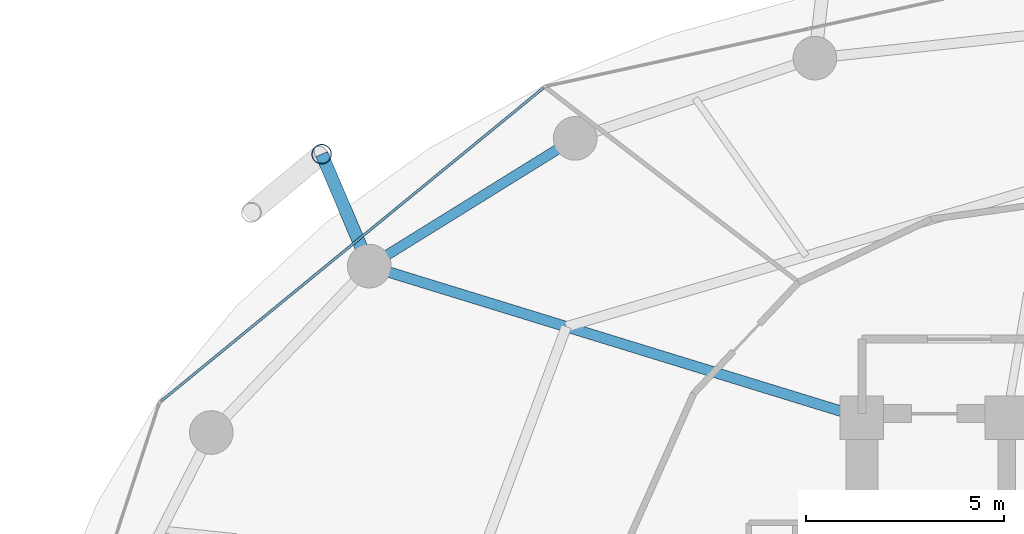
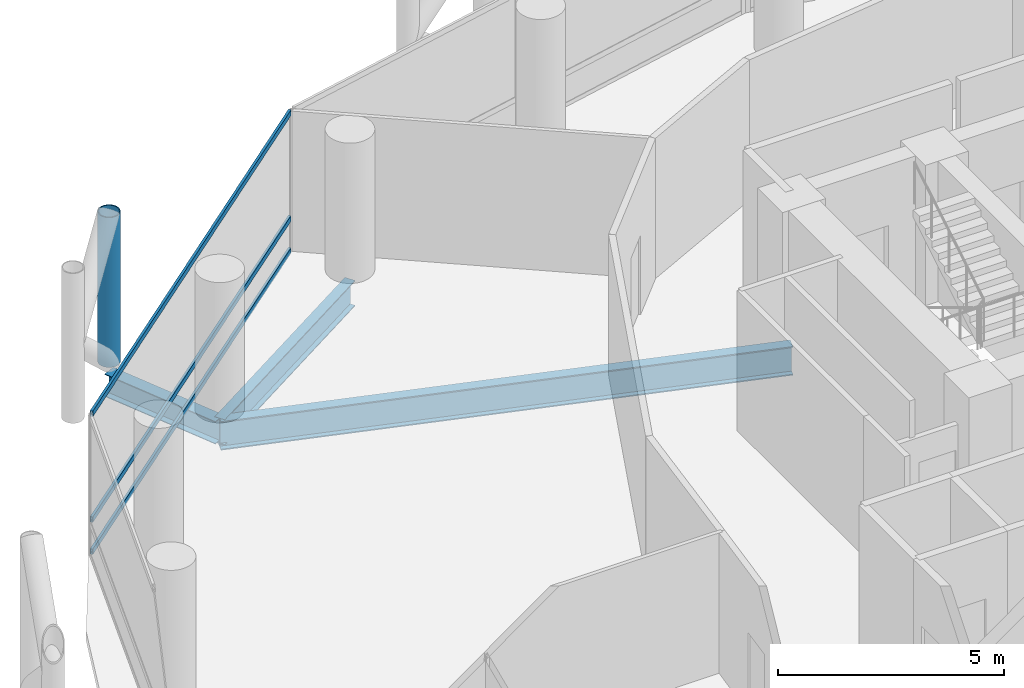
# One storey, part 14 of 24: 4 members, 3 beams, 1 element without a shape of its own.
"""IFC4 building model written with IfcOpenShell, lengths in metres."""

from ifc_helpers import new_model, si_unit, direction, frame, origin, origin_2d, place, context, subcontext, project, spatial, hollow_rectangle, hollow_circle, i_section, extrude, material, layer, layer_set, material_profile, profile_set, type_object, element, aggregate, save


model = new_model("IFC4")

# Units and contexts
model_context = context("Model", 3, precision=1e-05, world=origin(), true_north=direction((0.0, 1.0)))
body_context = subcontext(model_context, "Body", "Model", "MODEL_VIEW")
ifc_project = project(units=[si_unit("LENGTHUNIT", "METRE"), si_unit("AREAUNIT", "SQUARE_METRE"), si_unit("VOLUMEUNIT", "CUBIC_METRE"), si_unit("PLANEANGLEUNIT", "RADIAN"), si_unit("MASSUNIT", "GRAM", prefix="KILO")], contexts=[model_context])

# Site, building, storey
site_placement = place(None, origin())
site = spatial("IfcSite", under=ifc_project, at=site_placement, CompositionType="ELEMENT")
building_placement = place(site_placement, origin())
building = spatial("IfcBuilding", under=site, at=building_placement, Name="Nuhasar Tower", CompositionType="ELEMENT")
storey_placement = place(building_placement, frame((0.0, 0.0, 41.25)))
storey = spatial("IfcBuildingStorey", under=building, at=storey_placement, Name="L09", CompositionType="ELEMENT", Elevation=41.25)

# Beams
ifc_material_1 = material(Name="Steel S355", Category="steel")
ifc_material_profile_1 = material_profile(ifc_material_1, i_section(OverallWidth=0.26611328125, OverallDepth=0.779052734375, WebThickness=0.0166015625, FlangeThickness=0.030029296875, at=origin_2d()), Name="W30X148")
ifc_profile_set_1 = profile_set([ifc_material_profile_1], Name="Steel S355")
beam_type_1 = type_object("IfcBeamType", Name="BM-RAD-W30X148", PredefinedType="BEAM", material=ifc_profile_set_1)
beam_1_placement = place(storey_placement, frame((33.699951171875, 37.300048828125, -0.64892578125), z_axis=(-0.955789576103, 0.294051502653, 0.0), x_axis=(-0.294051502653, -0.955789576103, 0.0)))
element("IfcBeam", 1, at=beam_1_placement, inside=storey, type_object=beam_type_1, Name="L09 Radial Floor Girder 07", PredefinedType="BEAM", context=body_context, shape_type="SweptSolid", body=[
    extrude(i_section(OverallWidth=0.26611328125, OverallDepth=0.779052734375, WebThickness=0.0166015625, FlangeThickness=0.030029296875, at=origin_2d()), origin(), (0.0, 0.0, 1.0), 12.987060546875),
])
ifc_material_profile_2 = material_profile(ifc_material_1, i_section(OverallWidth=0.256103515625, OverallDepth=0.693115234375, WebThickness=0.014404296875, FlangeThickness=0.023681640625, at=origin_2d()), Name="W27X114")
ifc_profile_set_2 = profile_set([ifc_material_profile_2], Name="Steel S355")
beam_type_2 = type_object("IfcBeamType", Name="BM-RING-W27X114", PredefinedType="SPANDREL", material=ifc_profile_set_2)
beam_2_placement = place(storey_placement, frame((26.47509765625, 44.3369140625, -0.60595703125), z_axis=(-0.849795216549, -0.527112976439, 0.0), x_axis=(0.527112976439, -0.849795216549, 0.0)))
element("IfcBeam", 2, at=beam_2_placement, inside=storey, type_object=beam_type_2, Name="L09 Perimeter Ring Spandrel 09", PredefinedType="SPANDREL", context=body_context, shape_type="SweptSolid", body=[
    extrude(i_section(OverallWidth=0.256103515625, OverallDepth=0.693115234375, WebThickness=0.014404296875, FlangeThickness=0.023681640625, at=origin_2d()), origin(), (0.0, 0.0, 1.0), 6.10498046875),
])
ifc_material_profile_3 = material_profile(ifc_material_1, i_section(OverallWidth=0.323974609375, OverallDepth=0.611083984375, WebThickness=0.0126953125, FlangeThickness=0.01904296875, at=origin_2d()), Name="W24X104")
ifc_profile_set_3 = profile_set([ifc_material_profile_3], Name="Steel S355")
beam_type_3 = type_object("IfcBeamType", Name="BM-TIE-W24X104", PredefinedType="BEAM", material=ifc_profile_set_3)
beam_3_placement = place(storey_placement, frame((21.287109375, 41.118896484375, -0.56591796875), z_axis=(-0.391601084021, 0.920135093882, 0.0), x_axis=(-0.920135093882, -0.391601084021, 0.0)))
element("IfcBeam", 3, at=beam_3_placement, inside=storey, type_object=beam_type_3, Name="L09 Exoskeleton Node Tie Beam 05", PredefinedType="BEAM", context=body_context, shape_type="SweptSolid", body=[
    extrude(i_section(OverallWidth=0.323974609375, OverallDepth=0.611083984375, WebThickness=0.0126953125, FlangeThickness=0.01904296875, at=origin_2d()), origin(), (0.0, 0.0, 1.0), 3.06494140625),
])

# Curtain wall, members
ifc_material_2 = material(Name="Aluminium 6063-T6", Category="aluminium")
ifc_layer = layer(ifc_material_2, 0.199951171875)
ifc_layer_set = layer_set([ifc_layer], Name="Aluminium 6063-T6")
curtain_wall_type = type_object("IfcCurtainWallType", Name="CW-Z1-OFF", PredefinedType="NOTDEFINED", material=ifc_layer_set)
curtain_wall_placement = place(storey_placement, origin())
curtain_wall = element("IfcCurtainWall", 4, at=curtain_wall_placement, inside=storey, type_object=curtain_wall_type, Name="L09 Unitised Curtain Wall 05", PredefinedType="NOTDEFINED")
ifc_material_profile_4 = material_profile(ifc_material_2, hollow_rectangle(XDim=0.06494140625, YDim=0.14990234375, WallThickness=0.00439453125, at=origin_2d()), Name="CWT-2")
ifc_profile_set_4 = profile_set([ifc_material_profile_4], Name="Aluminium 6063-T6")
member_type_1 = type_object("IfcMemberType", Name="CW-TRN-S2", PredefinedType="USERDEFINED", material=ifc_profile_set_4)
member_1_placement = place(storey_placement, frame((25.669677734375, 45.603759765625, 0.032470703125), z_axis=(-0.773540851599, -0.633746440548, 0.0), x_axis=(0.633746440548, -0.773540851599, 0.0)))
member_1 = element("IfcMember", 5, at=member_1_placement, type_object=member_type_1, Name="CW-Z1 transom 1.1", ObjectType="TRANSOM", PredefinedType="USERDEFINED", context=body_context, shape_type="SweptSolid", body=[
    extrude(hollow_rectangle(XDim=0.06494140625, YDim=0.14990234375, WallThickness=0.00439453125, at=origin_2d()), origin(), (0.0, 0.0, 1.0), 12.43798828125),
])
member_2_placement = place(storey_placement, frame((25.669677734375, 45.603759765625, 0.89990234375), z_axis=(-0.773540851599, -0.633746440548, 0.0), x_axis=(0.633746440548, -0.773540851599, 0.0)))
member_2 = element("IfcMember", 6, at=member_2_placement, type_object=member_type_1, Name="CW-Z1 transom 1.2", ObjectType="TRANSOM", PredefinedType="USERDEFINED", context=body_context, shape_type="SweptSolid", body=[
    extrude(hollow_rectangle(XDim=0.06494140625, YDim=0.14990234375, WallThickness=0.00439453125, at=origin_2d()), origin(), (0.0, 0.0, 1.0), 12.43798828125),
])
member_3_placement = place(storey_placement, frame((25.669677734375, 45.603759765625, 3.757568359375), z_axis=(-0.773540851599, -0.633746440548, 0.0), x_axis=(0.633746440548, -0.773540851599, 0.0)))
member_3 = element("IfcMember", 7, at=member_3_placement, type_object=member_type_1, Name="CW-Z1 transom 1.3", ObjectType="TRANSOM", PredefinedType="USERDEFINED", context=body_context, shape_type="SweptSolid", body=[
    extrude(hollow_rectangle(XDim=0.06494140625, YDim=0.14990234375, WallThickness=0.00439453125, at=origin_2d()), origin(), (0.0, 0.0, 1.0), 12.43798828125),
])
aggregate(curtain_wall, [member_1, member_2, member_3])

# Member
ifc_material_3 = material(Name="Steel S460", Category="steel")
ifc_material_profile_5 = material_profile(ifc_material_3, hollow_circle(Radius=0.25390625, WallThickness=0.025390625, at=origin_2d()), Name="HSS508X25.4")
ifc_profile_set_5 = profile_set([ifc_material_profile_5], Name="Steel S460")
member_type_2 = type_object("IfcMemberType", Name="EXO-BRONZE-508", PredefinedType="BRACE", material=ifc_profile_set_5)
member_4_placement = place(storey_placement, frame((20.0869140625, 43.93896484375, 0.0), z_axis=(0.0, 0.0, 1.0), x_axis=(1.0, 0.0, 0.0)))
element("IfcMember", 8, at=member_4_placement, inside=storey, type_object=member_type_2, Name="L09 Exoskeleton Chord Column EC-05A", PredefinedType="BRACE", context=body_context, shape_type="SweptSolid", body=[
    extrude(hollow_circle(Radius=0.25390625, WallThickness=0.025390625, at=origin_2d()), origin(), (0.0, 0.0, 1.0), 4.050048828125),
])

save(model, "model.ifc")
